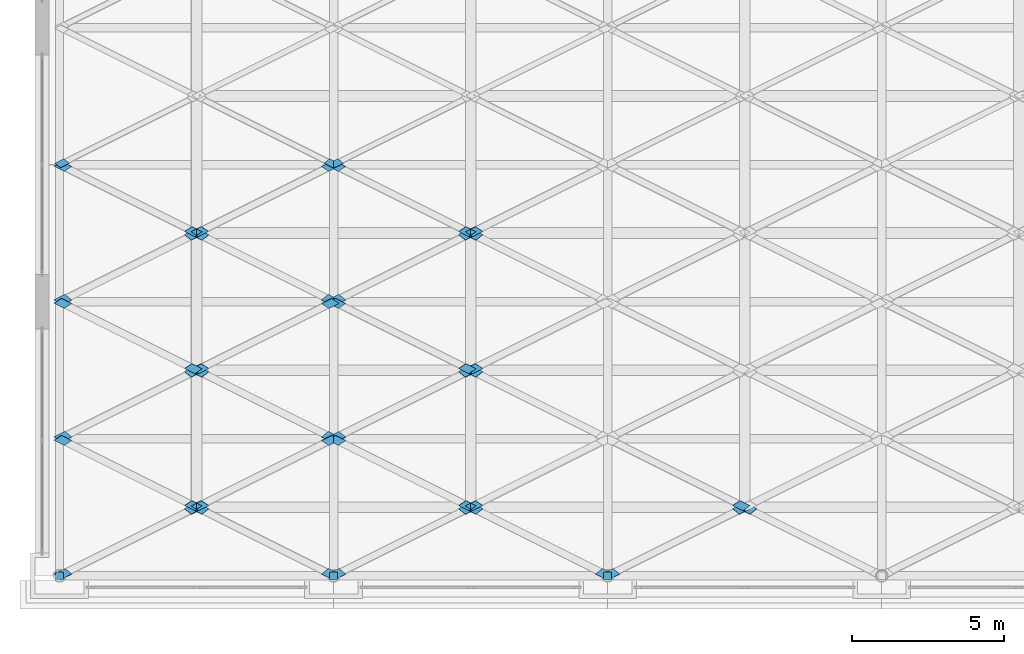
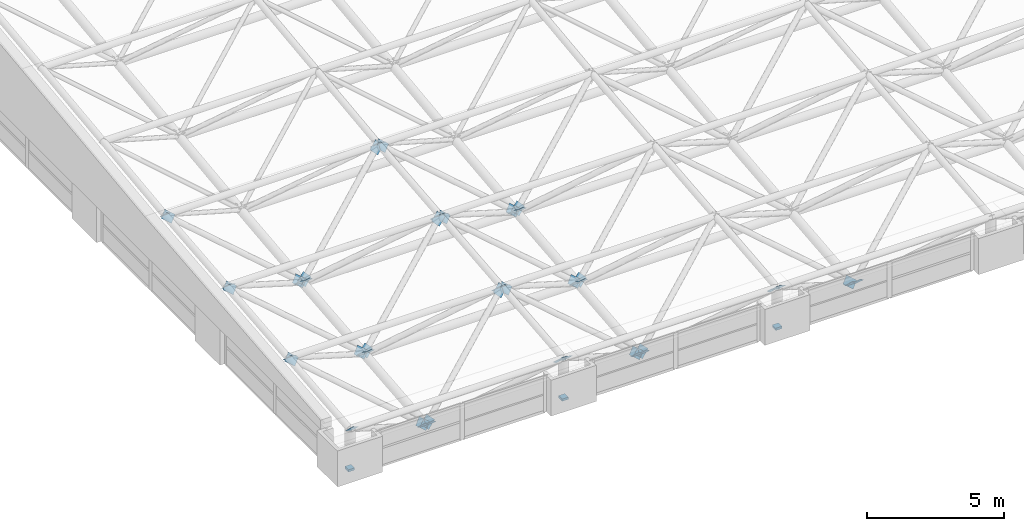
# One storey, part 27 of 53: 53 discrete accessories.
"""IFC4 building model written with IfcOpenShell, lengths in metres."""

import ifcopenshell
import ifcopenshell.guid

model = None  # the IFC model being written
_history = None  # IfcOwnerHistory: only IFC2X3 demands one
_inside = {}  # id of a spatial element -> (the spatial element, [elements in it])
_under = {}  # id of a project, library or spatial element -> (it, [spatial elements below it])
_declared = {}  # id of a project -> (the project, [libraries it declares])
_typed = {}  # id of a type object -> (the type object, [elements of that type])
_made_of = {}  # id of a material, layer set ... -> (it, [elements and type objects made of it])


def new_model(schema):
    """Start an empty IFC model of exactly this schema.

    Asked for "IFC4X3", IfcOpenShell would pick the latest addendum, in which some entities
    have other attributes; the version numbers below select the first issue.
    IFC2X3 requires an IfcOwnerHistory on every rooted entity: one is made here for all.
    """
    global model, _history
    if schema == "IFC4X3":
        model = ifcopenshell.file(schema_version=(4, 3, 0, 0))
    else:
        model = ifcopenshell.file(schema=schema)
    _inside.clear()
    _under.clear()
    _declared.clear()
    _typed.clear()
    _made_of.clear()
    _history = None
    if model.schema == "IFC2X3":
        org = make("IfcOrganization", Name="unknown")
        user = make(
            "IfcPersonAndOrganization",
            ThePerson=make("IfcPerson", FamilyName="unknown"),
            TheOrganization=org,
        )
        app = make(
            "IfcApplication",
            ApplicationDeveloper=org,
            Version="unknown",
            ApplicationFullName="unknown",
            ApplicationIdentifier="unknown",
        )
        _history = make(
            "IfcOwnerHistory",
            OwningUser=user,
            OwningApplication=app,
            ChangeAction="ADDED",
            CreationDate=0,
        )
    return model


def make(cls, **values):
    """One entity of the class cls with the attributes given. An attribute that is None is left unset."""
    return model.create_entity(
        cls, **{name: value for name, value in values.items() if value is not None}
    )


def rooted(cls, **values):
    """An entity with a GlobalId (a new one), such as an element, a storey or a relation."""
    return make(cls, GlobalId=ifcopenshell.guid.new(), OwnerHistory=_history, **values)


def si_unit(unit_type, name, prefix=None):
    """IfcSIUnit, for example si_unit("LENGTHUNIT", "METRE", prefix="MILLI")."""
    return make("IfcSIUnit", UnitType=unit_type, Prefix=prefix, Name=name)


def assignment(units):
    """IfcUnitAssignment: the units of a project."""
    return None if units is None else make("IfcUnitAssignment", Units=units)


def point(xyz):
    """IfcCartesianPoint."""
    return None if xyz is None else make("IfcCartesianPoint", Coordinates=xyz)


def direction(xyz):
    """IfcDirection."""
    return None if xyz is None else make("IfcDirection", DirectionRatios=xyz)


def frame(location, z_axis=None, x_axis=None):
    """IfcAxis2Placement3D, a coordinate frame: its origin and axes. An axis left out is left unset."""
    return make(
        "IfcAxis2Placement3D",
        Location=point(location),
        Axis=direction(z_axis),
        RefDirection=direction(x_axis),
    )


def frame_2d(location, x_axis=None):
    """IfcAxis2Placement2D, a coordinate frame in the plane: its origin and x axis."""
    return make(
        "IfcAxis2Placement2D", Location=point(location), RefDirection=direction(x_axis)
    )


def origin():
    """The frame at (0, 0, 0) with its axes left unset."""
    return frame((0.0, 0.0, 0.0))


def origin_2d():
    """The frame at (0, 0) in the plane with its x axis left unset."""
    return frame_2d((0.0, 0.0))


def place(relative_to, where):
    """IfcLocalPlacement: puts the frame where relative to a parent placement (None: the world)."""
    return make(
        "IfcLocalPlacement", PlacementRelTo=relative_to, RelativePlacement=where
    )


def context(
    kind, dimensions, precision=None, world=None, true_north=None, identifier=None
):
    """IfcGeometricRepresentationContext, for example the 3D "Model" context."""
    return make(
        "IfcGeometricRepresentationContext",
        ContextIdentifier=identifier,
        ContextType=kind,
        CoordinateSpaceDimension=dimensions,
        Precision=precision,
        WorldCoordinateSystem=world,
        TrueNorth=true_north,
    )


def subcontext(parent, identifier, kind, view, scale=None):
    """IfcGeometricRepresentationSubContext, for example "Body" below "Model"."""
    return make(
        "IfcGeometricRepresentationSubContext",
        ContextIdentifier=identifier,
        ContextType=kind,
        ParentContext=parent,
        TargetScale=scale,
        TargetView=view,
    )


def project(units=None, contexts=None):
    """IfcProject with its units and contexts."""
    return rooted(
        "IfcProject",
        Name="project",
        RepresentationContexts=contexts,
        UnitsInContext=assignment(units),
    )


def spatial(cls, under=None, at=None, **own):
    """A site, building, storey or space (cls), placed at a placement, below another one or the project."""
    s = rooted(cls, ObjectPlacement=at, **own)
    if under is not None:
        _under.setdefault(under.id(), (under, []))[1].append(s)
    return s


def polyline(points):
    """IfcPolyline through the points."""
    return make("IfcPolyline", Points=[point(p) for p in points])


def profile(cls, at=None, kind="AREA", **sizes):
    """A parametric profile (cls). Its sizes go by their IFC names, for example OverallWidth=200.0."""
    return make(cls, ProfileType=kind, Position=at, **sizes)


def rectangle(**sizes):
    """IfcRectangleProfileDef."""
    return profile("IfcRectangleProfileDef", **sizes)


def outline(outer, holes=None, kind="AREA"):
    """IfcArbitraryClosedProfileDef: a profile drawn as a closed curve; with holes, ...WithVoids."""
    if holes is None:
        return make("IfcArbitraryClosedProfileDef", ProfileType=kind, OuterCurve=outer)
    return make(
        "IfcArbitraryProfileDefWithVoids",
        ProfileType=kind,
        OuterCurve=outer,
        InnerCurves=holes,
    )


def extrude(swept, where, along, depth):
    """IfcExtrudedAreaSolid: the profile swept, set in the frame where, extruded along a direction by depth."""
    return make(
        "IfcExtrudedAreaSolid",
        SweptArea=swept,
        Position=where,
        ExtrudedDirection=direction(along),
        Depth=depth,
    )


def shape(context_of_items, identifier, shape_type, items):
    """IfcShapeRepresentation: the items that make up one representation, for example the "Body"."""
    return make(
        "IfcShapeRepresentation",
        ContextOfItems=context_of_items,
        RepresentationIdentifier=identifier,
        RepresentationType=shape_type,
        Items=items,
    )


def material(Name=None, Category=None):
    """IfcMaterial."""
    return make("IfcMaterial", Name=Name, Category=Category)


def layer(
    of_material, thickness, ventilated=None, Name=None, Category=None, Priority=None
):
    """IfcMaterialLayer: one layer of a wall or slab, of a material (None: an air gap)."""
    return make(
        "IfcMaterialLayer",
        Material=of_material,
        LayerThickness=thickness,
        IsVentilated=ventilated,
        Name=Name,
        Category=Category,
        Priority=Priority,
    )


def layer_set(layers, Name=None):
    """IfcMaterialLayerSet."""
    return make("IfcMaterialLayerSet", MaterialLayers=layers, LayerSetName=Name)


def made_of(thing, what):
    """Note that an element or type object is made of a material, layer set ...; save() writes the relation."""
    if what is not None:
        _made_of.setdefault(what.id(), (what, []))[1].append(thing)
    return thing


def type_object(cls, material=None, **own):
    """A type object (cls), such as IfcWallType, which elements share."""
    return made_of(rooted(cls, **own), material)


def element(
    cls,
    number,
    at=None,
    inside=None,
    cuts=None,
    type_object=None,
    material=None,
    context=None,
    identifier="Body",
    shape_type=None,
    held_by="IfcProductDefinitionShape",
    body=None,
    shapes=None,
    **own,
):
    """One element of the class cls, such as IfcWall. Its Tag is "e" and its number.

    at: its placement. inside: the storey or other place that contains it. cuts: it is an
    opening in that element (IfcRelVoidsElement). A single representation is given by context,
    identifier, shape_type and body (its items); several are given by shapes. held_by: the class
    of the entity that holds the representations. save() writes the other relations.
    """
    e = rooted(cls, Tag="e%d" % number, ObjectPlacement=at, **own)
    if body is not None:
        shapes = [shape(context, identifier, shape_type, body)]
    if shapes is not None:
        e.Representation = make(held_by, Representations=shapes)
    if inside is not None:
        _inside.setdefault(inside.id(), (inside, []))[1].append(e)
    if cuts is not None:
        rooted(
            "IfcRelVoidsElement", RelatingBuildingElement=cuts, RelatedOpeningElement=e
        )
    if type_object is not None:
        _typed.setdefault(type_object.id(), (type_object, []))[1].append(e)
    return made_of(e, material)


def aggregate(whole, parts):
    """IfcRelAggregates: a whole, such as a stair, and the parts it consists of."""
    return rooted("IfcRelAggregates", RelatingObject=whole, RelatedObjects=parts)


def save(model, path):
    """Write the relations noted so far, then the file.

    IfcRelAggregates (storeys below a building ...), IfcRelContainedInSpatialStructure (elements
    in a storey), IfcRelDefinesByType, IfcRelAssociatesMaterial and IfcRelDeclares: one each for
    every whole, place, type object, material and project.
    """
    for whole, parts in _under.values():
        aggregate(whole, parts)
    for where, things in _inside.values():
        rooted(
            "IfcRelContainedInSpatialStructure",
            RelatedElements=things,
            RelatingStructure=where,
        )
    for kind, things in _typed.values():
        rooted("IfcRelDefinesByType", RelatedObjects=things, RelatingType=kind)
    for what, things in _made_of.values():
        rooted("IfcRelAssociatesMaterial", RelatedObjects=things, RelatingMaterial=what)
    for by, libraries in _declared.values():
        rooted("IfcRelDeclares", RelatingContext=by, RelatedDefinitions=libraries)
    model.write(path)


model = new_model("IFC4")

# Units and contexts
model_context = context("Model", 3, precision=1e-05, world=origin(), true_north=direction((0.0, 1.0)))
body_context = subcontext(model_context, "Body", "Model", "MODEL_VIEW")
ifc_project = project(units=[si_unit("LENGTHUNIT", "METRE"), si_unit("AREAUNIT", "SQUARE_METRE"), si_unit("VOLUMEUNIT", "CUBIC_METRE"), si_unit("PLANEANGLEUNIT", "RADIAN"), si_unit("MASSUNIT", "GRAM", prefix="KILO")], contexts=[model_context])

# Site, building, storey
site_placement = place(None, origin())
site = spatial("IfcSite", under=ifc_project, at=site_placement, CompositionType="ELEMENT")
building_placement = place(site_placement, origin())
building = spatial("IfcBuilding", under=site, at=building_placement, Name="Aravalli Gate Trade Fair Centre", CompositionType="ELEMENT")
storey_placement = place(building_placement, frame((0.0, 0.0, 25.199951171875)))
storey = spatial("IfcBuildingStorey", under=building, at=storey_placement, Name="ROOF LEVEL 2", CompositionType="ELEMENT", Elevation=25.199951171875)

# Discrete accessories
ifc_material = material(Name="Steel E350", Category="steel")
discrete_accessory_type_1 = type_object("IfcDiscreteAccessoryType", Name="Bearing shoe fixed", PredefinedType="BRACKET", material=ifc_material)
for number, where, z_axis, x_axis, name in (
    (1, (6.0, 46.0, 0.0), (0.0, 0.0, 1.0), (1.0, 0.0, 0.0), "Bearing shoe A1 (fixed)"),
    (2, (15.0, 46.0, 0.0), (0.0, 0.0, 1.0), (1.0, 0.0, 0.0), "Bearing shoe A2 (fixed)"),
    (3, (24.0, 46.0, 0.0), (0.0, 0.0, 1.0), (1.0, 0.0, 0.0), "Bearing shoe A3 (fixed)"),
):
    element("IfcDiscreteAccessory", number, at=place(storey_placement, frame(where, z_axis=z_axis, x_axis=x_axis)), inside=storey, type_object=discrete_accessory_type_1, Name=name, PredefinedType="BRACKET", context=body_context, shape_type="SweptSolid", body=[
        extrude(rectangle(XDim=0.260009765625, YDim=0.260009765625, at=origin_2d()), origin(), (0.0, 0.0, 1.0), 0.10009765625),
    ])
ifc_layer_1 = layer(ifc_material, 0.011962890625)
ifc_layer_set_1 = layer_set([ifc_layer_1], Name="Steel E350")
discrete_accessory_type_2 = type_object("IfcDiscreteAccessoryType", Name="Gusset plate 291 x 291 x 12", PredefinedType="USERDEFINED", material=ifc_layer_set_1)
for number, where, z_axis, x_axis, name in (
    (4, (6.138916015625, 59.691650390625, 2.92724609375), (-6.9765199e-05, 0.771154883137, 0.636647580178), (-0.786484474244, -0.393242254842, 0.476238071536), "Gusset plate Space frame web diagonal D2A end A"),
    (5, (15.138916015625, 59.691650390625, 2.92724609375), (-6.9765199e-05, 0.771154883137, 0.636647580178), (-0.786484474244, -0.393242254842, 0.476238071536), "Gusset plate Space frame web diagonal D2A end A"),
):
    element("IfcDiscreteAccessory", number, at=place(storey_placement, frame(where, z_axis=z_axis, x_axis=x_axis)), inside=storey, type_object=discrete_accessory_type_2, Name=name, ObjectType="GUSSET PLATE", PredefinedType="USERDEFINED", context=body_context, shape_type="SweptSolid", body=[
        extrude(outline(polyline([(0.0, 0.0), (0.37064165383501635, -1.3877787807814457e-17), (0.3706783195979393, 0.29059144692340316), (0.00022867857401766278, 0.2904406632211646), (0.0, 0.0)])), origin(), (0.0, 0.0, -1.0), 0.011962890625),
    ])
discrete_accessory_1_placement = place(storey_placement, frame((14.681884765625, 59.546142578125, 3.103515625), z_axis=(6.9765199e-05, 0.771154883137, 0.636647580178), x_axis=(0.786233023991, -0.393446013556, 0.476484906794)))
element("IfcDiscreteAccessory", 6, at=discrete_accessory_1_placement, inside=storey, type_object=discrete_accessory_type_2, Name="Gusset plate Space frame web diagonal D2B end A", ObjectType="GUSSET PLATE", PredefinedType="USERDEFINED", context=body_context, shape_type="SweptSolid", body=[
    extrude(outline(polyline([(0.0, 0.0), (0.37044967171058096, 2.7755575615628914e-17), (0.3702947268495056, 0.290591407927876), (-0.0003468962829482891, 0.29044054608337494), (0.0, 0.0)])), origin(), (0.0, 0.0, -1.0), 0.011962890625),
])
ifc_layer_2 = layer(ifc_material, 0.011962890625)
ifc_layer_set_2 = layer_set([ifc_layer_2], Name="Steel E350")
discrete_accessory_type_3 = type_object("IfcDiscreteAccessoryType", Name="Gusset plate 367 x 367 x 12", PredefinedType="USERDEFINED", material=ifc_layer_set_2)
discrete_accessory_2_placement = place(storey_placement, frame((6.173095703125, 46.23876953125, 1.51513671875), z_axis=(-0.000106895173, 0.77673595722, 0.629826358082), x_axis=(-0.783044443413, -0.391795440284, 0.483050445204)))
element("IfcDiscreteAccessory", 7, at=discrete_accessory_2_placement, inside=storey, type_object=discrete_accessory_type_3, Name="Gusset plate Space frame web diagonal D1A end A", ObjectType="GUSSET PLATE", PredefinedType="USERDEFINED", context=body_context, shape_type="SweptSolid", body=[
    extrude(outline(polyline([(0.0, 0.0), (0.4467862821424865, 0.0), (0.4467086389724838, 0.36691841645657763), (-7.764317000273635e-05, 0.36691841645657763), (0.0, 0.0)])), origin(), (0.0, 0.0, -1.0), 0.011962890625),
])
discrete_accessory_3_placement = place(storey_placement, frame((10.0986328125, 48.201416015625, -0.905517578125), z_axis=(-0.000106895173, 0.77673595722, 0.629826358082), x_axis=(0.783044443413, 0.391795440284, -0.483050445204)))
element("IfcDiscreteAccessory", 8, at=discrete_accessory_3_placement, inside=storey, type_object=discrete_accessory_type_3, Name="Gusset plate Space frame web diagonal D1A end B", ObjectType="GUSSET PLATE", PredefinedType="USERDEFINED", context=body_context, shape_type="SweptSolid", body=[
    extrude(outline(polyline([(0.0, 0.0), (0.4467862821424865, 0.0), (0.4468639253124893, -0.3669184164565776), (7.764317000273635e-05, -0.36691841645657763), (0.0, 0.0)])), origin(), (0.0, 0.0, -1.0), 0.011962890625),
])
discrete_accessory_4_placement = place(storey_placement, frame((15.173095703125, 46.23876953125, 1.51513671875), z_axis=(-0.000106895173, 0.77673595722, 0.629826358082), x_axis=(-0.783044443413, -0.391795440284, 0.483050445204)))
element("IfcDiscreteAccessory", 9, at=discrete_accessory_4_placement, inside=storey, type_object=discrete_accessory_type_3, Name="Gusset plate Space frame web diagonal D1A end A", ObjectType="GUSSET PLATE", PredefinedType="USERDEFINED", context=body_context, shape_type="SweptSolid", body=[
    extrude(outline(polyline([(0.0, 0.0), (0.4467862821424865, 0.0), (0.4467086389724838, 0.36691841645657763), (-7.764317000273635e-05, 0.36691841645657763), (0.0, 0.0)])), origin(), (0.0, 0.0, -1.0), 0.011962890625),
])
discrete_accessory_5_placement = place(storey_placement, frame((19.0986328125, 48.201416015625, -0.905517578125), z_axis=(-0.000106895173, 0.77673595722, 0.629826358082), x_axis=(0.783044443413, 0.391795440284, -0.483050445204)))
element("IfcDiscreteAccessory", 10, at=discrete_accessory_5_placement, inside=storey, type_object=discrete_accessory_type_3, Name="Gusset plate Space frame web diagonal D1A end B", ObjectType="GUSSET PLATE", PredefinedType="USERDEFINED", context=body_context, shape_type="SweptSolid", body=[
    extrude(outline(polyline([(0.0, 0.0), (0.4467862821424865, 0.0), (0.4468639253124893, -0.3669184164565776), (7.764317000273635e-05, -0.36691841645657763), (0.0, 0.0)])), origin(), (0.0, 0.0, -1.0), 0.011962890625),
])
discrete_accessory_6_placement = place(storey_placement, frame((24.173095703125, 46.23876953125, 1.51513671875), z_axis=(-0.000106895173, 0.77673595722, 0.629826358082), x_axis=(-0.783044443413, -0.391795440284, 0.483050445204)))
element("IfcDiscreteAccessory", 11, at=discrete_accessory_6_placement, inside=storey, type_object=discrete_accessory_type_3, Name="Gusset plate Space frame web diagonal D1A end A", ObjectType="GUSSET PLATE", PredefinedType="USERDEFINED", context=body_context, shape_type="SweptSolid", body=[
    extrude(outline(polyline([(0.0, 0.0), (0.4467862821424865, 0.0), (0.4467086389724838, 0.36691841645657763), (-7.764317000273635e-05, 0.36691841645657763), (0.0, 0.0)])), origin(), (0.0, 0.0, -1.0), 0.011962890625),
])
discrete_accessory_7_placement = place(storey_placement, frame((28.0986328125, 48.201416015625, -0.905517578125), z_axis=(-0.000106895173, 0.77673595722, 0.629826358082), x_axis=(0.783044443413, 0.391795440284, -0.483050445204)))
element("IfcDiscreteAccessory", 12, at=discrete_accessory_7_placement, inside=storey, type_object=discrete_accessory_type_3, Name="Gusset plate Space frame web diagonal D1A end B", ObjectType="GUSSET PLATE", PredefinedType="USERDEFINED", context=body_context, shape_type="SweptSolid", body=[
    extrude(outline(polyline([(0.0, 0.0), (0.4467862821424865, 0.0), (0.4468639253124893, -0.3669184164565776), (7.764317000273635e-05, -0.36691841645657763), (0.0, 0.0)])), origin(), (0.0, 0.0, -1.0), 0.011962890625),
])
discrete_accessory_8_placement = place(storey_placement, frame((6.173095703125, 50.73876953125, 1.965087890625), z_axis=(-0.000106895173, 0.77673595722, 0.629826358082), x_axis=(-0.783044443413, -0.391795440284, 0.483050445204)))
element("IfcDiscreteAccessory", 13, at=discrete_accessory_8_placement, inside=storey, type_object=discrete_accessory_type_3, Name="Gusset plate Space frame web diagonal D1A end A", ObjectType="GUSSET PLATE", PredefinedType="USERDEFINED", context=body_context, shape_type="SweptSolid", body=[
    extrude(outline(polyline([(0.0, 0.0), (0.4467862821424865, 0.0), (0.4467086389724838, 0.36691841645657763), (-7.764317000273635e-05, 0.36691841645657763), (0.0, 0.0)])), origin(), (0.0, 0.0, -1.0), 0.011962890625),
])
discrete_accessory_9_placement = place(storey_placement, frame((10.0986328125, 52.701416015625, -0.45556640625), z_axis=(-0.000106895173, 0.77673595722, 0.629826358082), x_axis=(0.783044443413, 0.391795440284, -0.483050445204)))
element("IfcDiscreteAccessory", 14, at=discrete_accessory_9_placement, inside=storey, type_object=discrete_accessory_type_3, Name="Gusset plate Space frame web diagonal D1A end B", ObjectType="GUSSET PLATE", PredefinedType="USERDEFINED", context=body_context, shape_type="SweptSolid", body=[
    extrude(outline(polyline([(0.0, 0.0), (0.4467862821424865, 0.0), (0.4468639253124893, -0.3669184164565776), (7.764317000273635e-05, -0.36691841645657763), (0.0, 0.0)])), origin(), (0.0, 0.0, -1.0), 0.011962890625),
])
discrete_accessory_10_placement = place(storey_placement, frame((15.173095703125, 50.73876953125, 1.965087890625), z_axis=(-0.000106895173, 0.77673595722, 0.629826358082), x_axis=(-0.783044443413, -0.391795440284, 0.483050445204)))
element("IfcDiscreteAccessory", 15, at=discrete_accessory_10_placement, inside=storey, type_object=discrete_accessory_type_3, Name="Gusset plate Space frame web diagonal D1A end A", ObjectType="GUSSET PLATE", PredefinedType="USERDEFINED", context=body_context, shape_type="SweptSolid", body=[
    extrude(outline(polyline([(0.0, 0.0), (0.4467862821424865, 0.0), (0.4467086389724838, 0.36691841645657763), (-7.764317000273635e-05, 0.36691841645657763), (0.0, 0.0)])), origin(), (0.0, 0.0, -1.0), 0.011962890625),
])
discrete_accessory_11_placement = place(storey_placement, frame((19.0986328125, 52.701416015625, -0.45556640625), z_axis=(-0.000106895173, 0.77673595722, 0.629826358082), x_axis=(0.783044443413, 0.391795440284, -0.483050445204)))
element("IfcDiscreteAccessory", 16, at=discrete_accessory_11_placement, inside=storey, type_object=discrete_accessory_type_3, Name="Gusset plate Space frame web diagonal D1A end B", ObjectType="GUSSET PLATE", PredefinedType="USERDEFINED", context=body_context, shape_type="SweptSolid", body=[
    extrude(outline(polyline([(0.0, 0.0), (0.4467862821424865, 0.0), (0.4468639253124893, -0.3669184164565776), (7.764317000273635e-05, -0.36691841645657763), (0.0, 0.0)])), origin(), (0.0, 0.0, -1.0), 0.011962890625),
])
discrete_accessory_12_placement = place(storey_placement, frame((6.173095703125, 55.23876953125, 2.4150390625), z_axis=(-0.000106895173, 0.77673595722, 0.629826358082), x_axis=(-0.783044443413, -0.391795440284, 0.483050445204)))
element("IfcDiscreteAccessory", 17, at=discrete_accessory_12_placement, inside=storey, type_object=discrete_accessory_type_3, Name="Gusset plate Space frame web diagonal D1A end A", ObjectType="GUSSET PLATE", PredefinedType="USERDEFINED", context=body_context, shape_type="SweptSolid", body=[
    extrude(outline(polyline([(0.0, 0.0), (0.4467862821424865, 0.0), (0.4467086389724838, 0.36691841645657763), (-7.764317000273635e-05, 0.36691841645657763), (0.0, 0.0)])), origin(), (0.0, 0.0, -1.0), 0.011962890625),
])
discrete_accessory_13_placement = place(storey_placement, frame((10.0986328125, 57.201416015625, -0.005615234375), z_axis=(-0.000106895173, 0.77673595722, 0.629826358082), x_axis=(0.783044443413, 0.391795440284, -0.483050445204)))
element("IfcDiscreteAccessory", 18, at=discrete_accessory_13_placement, inside=storey, type_object=discrete_accessory_type_3, Name="Gusset plate Space frame web diagonal D1A end B", ObjectType="GUSSET PLATE", PredefinedType="USERDEFINED", context=body_context, shape_type="SweptSolid", body=[
    extrude(outline(polyline([(0.0, 0.0), (0.4467862821424865, 0.0), (0.4468639253124893, -0.3669184164565776), (7.764317000273635e-05, -0.36691841645657763), (0.0, 0.0)])), origin(), (0.0, 0.0, -1.0), 0.011962890625),
])
discrete_accessory_14_placement = place(storey_placement, frame((15.173095703125, 55.23876953125, 2.4150390625), z_axis=(-0.000106895173, 0.77673595722, 0.629826358082), x_axis=(-0.783044443413, -0.391795440284, 0.483050445204)))
element("IfcDiscreteAccessory", 19, at=discrete_accessory_14_placement, inside=storey, type_object=discrete_accessory_type_3, Name="Gusset plate Space frame web diagonal D1A end A", ObjectType="GUSSET PLATE", PredefinedType="USERDEFINED", context=body_context, shape_type="SweptSolid", body=[
    extrude(outline(polyline([(0.0, 0.0), (0.4467862821424865, 0.0), (0.4467086389724838, 0.36691841645657763), (-7.764317000273635e-05, 0.36691841645657763), (0.0, 0.0)])), origin(), (0.0, 0.0, -1.0), 0.011962890625),
])
discrete_accessory_15_placement = place(storey_placement, frame((19.0986328125, 57.201416015625, -0.005615234375), z_axis=(-0.000106895173, 0.77673595722, 0.629826358082), x_axis=(0.783044443413, 0.391795440284, -0.483050445204)))
element("IfcDiscreteAccessory", 20, at=discrete_accessory_15_placement, inside=storey, type_object=discrete_accessory_type_3, Name="Gusset plate Space frame web diagonal D1A end B", ObjectType="GUSSET PLATE", PredefinedType="USERDEFINED", context=body_context, shape_type="SweptSolid", body=[
    extrude(outline(polyline([(0.0, 0.0), (0.4467862821424865, 0.0), (0.4468639253124893, -0.3669184164565776), (7.764317000273635e-05, -0.36691841645657763), (0.0, 0.0)])), origin(), (0.0, 0.0, -1.0), 0.011962890625),
])
discrete_accessory_16_placement = place(storey_placement, frame((14.5986328125, 46.057861328125, 1.73828125), z_axis=(0.000106895173, 0.77673595722, 0.629826358082), x_axis=(0.783044443413, -0.391795440284, 0.483050445204)))
element("IfcDiscreteAccessory", 21, at=discrete_accessory_16_placement, inside=storey, type_object=discrete_accessory_type_3, Name="Gusset plate Space frame web diagonal D1B end A", ObjectType="GUSSET PLATE", PredefinedType="USERDEFINED", context=body_context, shape_type="SweptSolid", body=[
    extrude(outline(polyline([(0.0, 0.0), (0.4467862821424865, 0.0), (0.4468639253124893, 0.3669184164565776), (7.764317000273635e-05, 0.36691841645657763), (0.0, 0.0)])), origin(), (0.0, 0.0, -1.0), 0.011962890625),
])
discrete_accessory_17_placement = place(storey_placement, frame((10.673095703125, 48.0205078125, -0.682373046875), z_axis=(0.000106895173, 0.77673595722, 0.629826358082), x_axis=(-0.783044443413, 0.391795440284, -0.483050445204)))
element("IfcDiscreteAccessory", 22, at=discrete_accessory_17_placement, inside=storey, type_object=discrete_accessory_type_3, Name="Gusset plate Space frame web diagonal D1B end B", ObjectType="GUSSET PLATE", PredefinedType="USERDEFINED", context=body_context, shape_type="SweptSolid", body=[
    extrude(outline(polyline([(0.0, 0.0), (0.4467862821424865, 0.0), (0.4467086389724838, -0.36691841645657763), (-7.764317000273635e-05, -0.36691841645657763), (0.0, 0.0)])), origin(), (0.0, 0.0, -1.0), 0.011962890625),
])
discrete_accessory_18_placement = place(storey_placement, frame((23.5986328125, 46.057861328125, 1.73828125), z_axis=(0.000106895173, 0.77673595722, 0.629826358082), x_axis=(0.783044443413, -0.391795440284, 0.483050445204)))
element("IfcDiscreteAccessory", 23, at=discrete_accessory_18_placement, inside=storey, type_object=discrete_accessory_type_3, Name="Gusset plate Space frame web diagonal D1B end A", ObjectType="GUSSET PLATE", PredefinedType="USERDEFINED", context=body_context, shape_type="SweptSolid", body=[
    extrude(outline(polyline([(0.0, 0.0), (0.4467862821424865, 0.0), (0.4468639253124893, 0.3669184164565776), (7.764317000273635e-05, 0.36691841645657763), (0.0, 0.0)])), origin(), (0.0, 0.0, -1.0), 0.011962890625),
])
for number, where, z_axis, x_axis, name in (
    (24, (19.673095703125, 48.0205078125, -0.682373046875), (0.000106895173, 0.77673595722, 0.629826358082), (-0.783044443413, 0.391795440284, -0.483050445204), "Gusset plate Space frame web diagonal D1B end B"),
    (25, (28.673095703125, 48.0205078125, -0.682373046875), (0.000106895173, 0.77673595722, 0.629826358082), (-0.783044443413, 0.391795440284, -0.483050445204), "Gusset plate Space frame web diagonal D1B end B"),
):
    element("IfcDiscreteAccessory", number, at=place(storey_placement, frame(where, z_axis=z_axis, x_axis=x_axis)), inside=storey, type_object=discrete_accessory_type_3, Name=name, ObjectType="GUSSET PLATE", PredefinedType="USERDEFINED", context=body_context, shape_type="SweptSolid", body=[
        extrude(outline(polyline([(0.0, 0.0), (0.4467862821424865, 0.0), (0.4467086389724838, -0.36691841645657763), (-7.764317000273635e-05, -0.36691841645657763), (0.0, 0.0)])), origin(), (0.0, 0.0, -1.0), 0.011962890625),
    ])
discrete_accessory_19_placement = place(storey_placement, frame((14.5986328125, 50.557861328125, 2.188232421875), z_axis=(0.000106895173, 0.77673595722, 0.629826358082), x_axis=(0.783044443413, -0.391795440284, 0.483050445204)))
element("IfcDiscreteAccessory", 26, at=discrete_accessory_19_placement, inside=storey, type_object=discrete_accessory_type_3, Name="Gusset plate Space frame web diagonal D1B end A", ObjectType="GUSSET PLATE", PredefinedType="USERDEFINED", context=body_context, shape_type="SweptSolid", body=[
    extrude(outline(polyline([(0.0, 0.0), (0.4467862821424865, 0.0), (0.4468639253124893, 0.3669184164565776), (7.764317000273635e-05, 0.36691841645657763), (0.0, 0.0)])), origin(), (0.0, 0.0, -1.0), 0.011962890625),
])
for number, where, z_axis, x_axis, name in (
    (27, (10.673095703125, 52.5205078125, -0.232421875), (0.000106895173, 0.77673595722, 0.629826358082), (-0.783044443413, 0.391795440284, -0.483050445204), "Gusset plate Space frame web diagonal D1B end B"),
    (28, (19.673095703125, 52.5205078125, -0.232421875), (0.000106895173, 0.77673595722, 0.629826358082), (-0.783044443413, 0.391795440284, -0.483050445204), "Gusset plate Space frame web diagonal D1B end B"),
):
    element("IfcDiscreteAccessory", number, at=place(storey_placement, frame(where, z_axis=z_axis, x_axis=x_axis)), inside=storey, type_object=discrete_accessory_type_3, Name=name, ObjectType="GUSSET PLATE", PredefinedType="USERDEFINED", context=body_context, shape_type="SweptSolid", body=[
        extrude(outline(polyline([(0.0, 0.0), (0.4467862821424865, 0.0), (0.4467086389724838, -0.36691841645657763), (-7.764317000273635e-05, -0.36691841645657763), (0.0, 0.0)])), origin(), (0.0, 0.0, -1.0), 0.011962890625),
    ])
discrete_accessory_20_placement = place(storey_placement, frame((14.5986328125, 55.057861328125, 2.63818359375), z_axis=(0.000106895173, 0.77673595722, 0.629826358082), x_axis=(0.783044443413, -0.391795440284, 0.483050445204)))
element("IfcDiscreteAccessory", 29, at=discrete_accessory_20_placement, inside=storey, type_object=discrete_accessory_type_3, Name="Gusset plate Space frame web diagonal D1B end A", ObjectType="GUSSET PLATE", PredefinedType="USERDEFINED", context=body_context, shape_type="SweptSolid", body=[
    extrude(outline(polyline([(0.0, 0.0), (0.4467862821424865, 0.0), (0.4468639253124893, 0.3669184164565776), (7.764317000273635e-05, 0.36691841645657763), (0.0, 0.0)])), origin(), (0.0, 0.0, -1.0), 0.011962890625),
])
for number, where, z_axis, x_axis, name in (
    (30, (10.673095703125, 57.0205078125, 0.217529296875), (0.000106895173, 0.77673595722, 0.629826358082), (-0.783044443413, 0.391795440284, -0.483050445204), "Gusset plate Space frame web diagonal D1B end B"),
    (31, (19.673095703125, 57.0205078125, 0.217529296875), (0.000106895173, 0.77673595722, 0.629826358082), (-0.783044443413, 0.391795440284, -0.483050445204), "Gusset plate Space frame web diagonal D1B end B"),
):
    element("IfcDiscreteAccessory", number, at=place(storey_placement, frame(where, z_axis=z_axis, x_axis=x_axis)), inside=storey, type_object=discrete_accessory_type_3, Name=name, ObjectType="GUSSET PLATE", PredefinedType="USERDEFINED", context=body_context, shape_type="SweptSolid", body=[
        extrude(outline(polyline([(0.0, 0.0), (0.4467862821424865, 0.0), (0.4467086389724838, -0.36691841645657763), (-7.764317000273635e-05, -0.36691841645657763), (0.0, 0.0)])), origin(), (0.0, 0.0, -1.0), 0.011962890625),
    ])
discrete_accessory_21_placement = place(storey_placement, frame((6.155517578125, 50.278076171875, 1.9423828125), z_axis=(-0.000292195819, -0.820164189793, 0.572128146837), x_axis=(-0.753132087854, 0.376566043927, 0.539434956975)))
element("IfcDiscreteAccessory", 32, at=discrete_accessory_21_placement, inside=storey, type_object=discrete_accessory_type_3, Name="Gusset plate Space frame web diagonal D1C end A", ObjectType="GUSSET PLATE", PredefinedType="USERDEFINED", context=body_context, shape_type="SweptSolid", body=[
    extrude(outline(polyline([(0.0, 0.0), (0.4467022275054028, -2.7755575615628914e-17), (0.4467362528213333, -0.36669377191730207), (3.402531593046931e-05, -0.366693771917302), (0.0, 0.0)])), origin(), (0.0, 0.0, -1.0), 0.011962890625),
])
discrete_accessory_22_placement = place(storey_placement, frame((10.103271484375, 48.30419921875, -0.886962890625), z_axis=(-0.000292195819, -0.820164189793, 0.572128146837), x_axis=(0.753132087854, -0.376566043927, -0.539434956975)))
element("IfcDiscreteAccessory", 33, at=discrete_accessory_22_placement, inside=storey, type_object=discrete_accessory_type_3, Name="Gusset plate Space frame web diagonal D1C end B", ObjectType="GUSSET PLATE", PredefinedType="USERDEFINED", context=body_context, shape_type="SweptSolid", body=[
    extrude(outline(polyline([(0.0, 0.0), (0.4467022275054028, -2.7755575615628914e-17), (0.4466682021894723, 0.366693771917302), (-3.402531593046931e-05, 0.366693771917302), (0.0, 0.0)])), origin(), (0.0, 0.0, -1.0), 0.011962890625),
])
discrete_accessory_23_placement = place(storey_placement, frame((15.155517578125, 50.278076171875, 1.9423828125), z_axis=(-0.000292195819, -0.820164189793, 0.572128146837), x_axis=(-0.753132087854, 0.376566043927, 0.539434956975)))
element("IfcDiscreteAccessory", 34, at=discrete_accessory_23_placement, inside=storey, type_object=discrete_accessory_type_3, Name="Gusset plate Space frame web diagonal D1C end A", ObjectType="GUSSET PLATE", PredefinedType="USERDEFINED", context=body_context, shape_type="SweptSolid", body=[
    extrude(outline(polyline([(0.0, 0.0), (0.4467022275054028, -2.7755575615628914e-17), (0.4467362528213333, -0.36669377191730207), (3.402531593046931e-05, -0.366693771917302), (0.0, 0.0)])), origin(), (0.0, 0.0, -1.0), 0.011962890625),
])
for number, where, z_axis, x_axis, name in (
    (35, (19.103271484375, 48.30419921875, -0.886962890625), (-0.000292195819, -0.820164189793, 0.572128146837), (0.753132087854, -0.376566043927, -0.539434956975), "Gusset plate Space frame web diagonal D1C end B"),
    (36, (28.103271484375, 48.30419921875, -0.886962890625), (-0.000292195819, -0.820164189793, 0.572128146837), (0.753132087854, -0.376566043927, -0.539434956975), "Gusset plate Space frame web diagonal D1C end B"),
):
    element("IfcDiscreteAccessory", number, at=place(storey_placement, frame(where, z_axis=z_axis, x_axis=x_axis)), inside=storey, type_object=discrete_accessory_type_3, Name=name, ObjectType="GUSSET PLATE", PredefinedType="USERDEFINED", context=body_context, shape_type="SweptSolid", body=[
        extrude(outline(polyline([(0.0, 0.0), (0.4467022275054028, -2.7755575615628914e-17), (0.4466682021894723, 0.366693771917302), (-3.402531593046931e-05, 0.366693771917302), (0.0, 0.0)])), origin(), (0.0, 0.0, -1.0), 0.011962890625),
    ])
discrete_accessory_24_placement = place(storey_placement, frame((6.155517578125, 54.778076171875, 2.392333984375), z_axis=(-4.9126691e-05, -0.820140995503, 0.572161467667), x_axis=(-0.752910034648, 0.376583216139, 0.539732860821)))
element("IfcDiscreteAccessory", 37, at=discrete_accessory_24_placement, inside=storey, type_object=discrete_accessory_type_3, Name="Gusset plate Space frame web diagonal D1C end A", ObjectType="GUSSET PLATE", PredefinedType="USERDEFINED", context=body_context, shape_type="SweptSolid", body=[
    extrude(outline(polyline([(0.0, 0.0), (0.4468339673229258, 0.0), (0.4468599899280901, -0.36654297340046177), (0.00015779332313807515, -0.366693732894023), (0.0, 0.0)])), origin(), (0.0, 0.0, -1.0), 0.011962890625),
])
discrete_accessory_25_placement = place(storey_placement, frame((10.103271484375, 52.80419921875, -0.436767578125), z_axis=(-4.9126691e-05, -0.820140995503, 0.572161467667), x_axis=(0.752910034648, -0.376583216139, -0.539732860821)))
element("IfcDiscreteAccessory", 38, at=discrete_accessory_25_placement, inside=storey, type_object=discrete_accessory_type_3, Name="Gusset plate Space frame web diagonal D1C end B", ObjectType="GUSSET PLATE", PredefinedType="USERDEFINED", context=body_context, shape_type="SweptSolid", body=[
    extrude(outline(polyline([(0.0, 0.0), (0.4468339673229258, 0.0), (0.44667617399978776, 0.366693732894023), (-2.6022605164321977e-05, 0.3665429734004617), (0.0, 0.0)])), origin(), (0.0, 0.0, -1.0), 0.011962890625),
])
discrete_accessory_26_placement = place(storey_placement, frame((15.155517578125, 54.778076171875, 2.392333984375), z_axis=(-4.9126691e-05, -0.820140995503, 0.572161467667), x_axis=(-0.752910034648, 0.376583216139, 0.539732860821)))
element("IfcDiscreteAccessory", 39, at=discrete_accessory_26_placement, inside=storey, type_object=discrete_accessory_type_3, Name="Gusset plate Space frame web diagonal D1C end A", ObjectType="GUSSET PLATE", PredefinedType="USERDEFINED", context=body_context, shape_type="SweptSolid", body=[
    extrude(outline(polyline([(0.0, 0.0), (0.4468339673229258, 0.0), (0.4468599899280901, -0.36654297340046177), (0.00015779332313807515, -0.366693732894023), (0.0, 0.0)])), origin(), (0.0, 0.0, -1.0), 0.011962890625),
])
discrete_accessory_27_placement = place(storey_placement, frame((19.103271484375, 52.80419921875, -0.436767578125), z_axis=(-4.9126691e-05, -0.820140995503, 0.572161467667), x_axis=(0.752910034648, -0.376583216139, -0.539732860821)))
element("IfcDiscreteAccessory", 40, at=discrete_accessory_27_placement, inside=storey, type_object=discrete_accessory_type_3, Name="Gusset plate Space frame web diagonal D1C end B", ObjectType="GUSSET PLATE", PredefinedType="USERDEFINED", context=body_context, shape_type="SweptSolid", body=[
    extrude(outline(polyline([(0.0, 0.0), (0.4468339673229258, 0.0), (0.44667617399978776, 0.366693732894023), (-2.6022605164321977e-05, 0.3665429734004617), (0.0, 0.0)])), origin(), (0.0, 0.0, -1.0), 0.011962890625),
])
discrete_accessory_28_placement = place(storey_placement, frame((6.155517578125, 59.278076171875, 2.84228515625), z_axis=(-5.6748583e-05, -0.820281851296, 0.571959510117), x_axis=(-0.752910033129, 0.376455016564, 0.539822287904)))
element("IfcDiscreteAccessory", 41, at=discrete_accessory_28_placement, inside=storey, type_object=discrete_accessory_type_3, Name="Gusset plate Space frame web diagonal D1C end A", ObjectType="GUSSET PLATE", PredefinedType="USERDEFINED", context=body_context, shape_type="SweptSolid", body=[
    extrude(outline(polyline([(0.0, 0.0), (0.44683397278152426, 2.7755575615628914e-17), (0.44699177701993154, -0.3666937395408909), (0.0001578042384072914, -0.3666937395408909), (0.0, 0.0)])), origin(), (0.0, 0.0, -1.0), 0.011962890625),
])
discrete_accessory_29_placement = place(storey_placement, frame((10.103271484375, 57.30419921875, 0.01318359375), z_axis=(-5.6748583e-05, -0.820281851296, 0.571959510117), x_axis=(0.752910033129, -0.376455016564, -0.539822287904)))
element("IfcDiscreteAccessory", 42, at=discrete_accessory_29_placement, inside=storey, type_object=discrete_accessory_type_3, Name="Gusset plate Space frame web diagonal D1C end B", ObjectType="GUSSET PLATE", PredefinedType="USERDEFINED", context=body_context, shape_type="SweptSolid", body=[
    extrude(outline(polyline([(0.0, 0.0), (0.44683397278152426, 2.7755575615628914e-17), (0.446676168543117, 0.36669373954089096), (-0.0001578042384072914, 0.3666937395408909), (0.0, 0.0)])), origin(), (0.0, 0.0, -1.0), 0.011962890625),
])
discrete_accessory_30_placement = place(storey_placement, frame((15.155517578125, 59.278076171875, 2.84228515625), z_axis=(-5.6748583e-05, -0.820281851296, 0.571959510117), x_axis=(-0.752910033129, 0.376455016564, 0.539822287904)))
element("IfcDiscreteAccessory", 43, at=discrete_accessory_30_placement, inside=storey, type_object=discrete_accessory_type_3, Name="Gusset plate Space frame web diagonal D1C end A", ObjectType="GUSSET PLATE", PredefinedType="USERDEFINED", context=body_context, shape_type="SweptSolid", body=[
    extrude(outline(polyline([(0.0, 0.0), (0.44683397278152426, 2.7755575615628914e-17), (0.44699177701993154, -0.3666937395408909), (0.0001578042384072914, -0.3666937395408909), (0.0, 0.0)])), origin(), (0.0, 0.0, -1.0), 0.011962890625),
])
discrete_accessory_31_placement = place(storey_placement, frame((19.103271484375, 57.30419921875, 0.01318359375), z_axis=(-5.6748583e-05, -0.820281851296, 0.571959510117), x_axis=(0.752910033129, -0.376455016564, -0.539822287904)))
element("IfcDiscreteAccessory", 44, at=discrete_accessory_31_placement, inside=storey, type_object=discrete_accessory_type_3, Name="Gusset plate Space frame web diagonal D1C end B", ObjectType="GUSSET PLATE", PredefinedType="USERDEFINED", context=body_context, shape_type="SweptSolid", body=[
    extrude(outline(polyline([(0.0, 0.0), (0.44683397278152426, 2.7755575615628914e-17), (0.446676168543117, 0.36669373954089096), (-0.0001578042384072914, 0.3666937395408909), (0.0, 0.0)])), origin(), (0.0, 0.0, -1.0), 0.011962890625),
])
discrete_accessory_32_placement = place(storey_placement, frame((14.603271484375, 50.43603515625, 2.1689453125), z_axis=(0.000292195819, -0.820164189793, 0.572128146837), x_axis=(0.753132087854, 0.376566043927, 0.539434956975)))
element("IfcDiscreteAccessory", 45, at=discrete_accessory_32_placement, inside=storey, type_object=discrete_accessory_type_3, Name="Gusset plate Space frame web diagonal D1D end A", ObjectType="GUSSET PLATE", PredefinedType="USERDEFINED", context=body_context, shape_type="SweptSolid", body=[
    extrude(outline(polyline([(0.0, 0.0), (0.4467022275054028, 2.7755575615628914e-17), (0.4466682021894723, -0.366693771917302), (-3.402531593046931e-05, -0.366693771917302), (0.0, 0.0)])), origin(), (0.0, 0.0, -1.0), 0.011962890625),
])
for number, where, z_axis, x_axis, name in (
    (46, (10.655517578125, 48.462158203125, -0.660400390625), (0.000292195819, -0.820164189793, 0.572128146837), (-0.753132087854, -0.376566043927, -0.539434956975), "Gusset plate Space frame web diagonal D1D end B"),
    (47, (19.655517578125, 48.462158203125, -0.660400390625), (0.000292195819, -0.820164189793, 0.572128146837), (-0.753132087854, -0.376566043927, -0.539434956975), "Gusset plate Space frame web diagonal D1D end B"),
):
    element("IfcDiscreteAccessory", number, at=place(storey_placement, frame(where, z_axis=z_axis, x_axis=x_axis)), inside=storey, type_object=discrete_accessory_type_3, Name=name, ObjectType="GUSSET PLATE", PredefinedType="USERDEFINED", context=body_context, shape_type="SweptSolid", body=[
        extrude(outline(polyline([(0.0, 0.0), (0.4467022275054028, 2.7755575615628914e-17), (0.4467362528213333, 0.36669377191730207), (3.402531593046931e-05, 0.366693771917302), (0.0, 0.0)])), origin(), (0.0, 0.0, -1.0), 0.011962890625),
    ])
discrete_accessory_33_placement = place(storey_placement, frame((14.603271484375, 54.93603515625, 2.618896484375), z_axis=(4.9126691e-05, -0.820140995503, 0.572161467667), x_axis=(0.753132104741, 0.376437815746, 0.539524423623)))
element("IfcDiscreteAccessory", 48, at=discrete_accessory_33_placement, inside=storey, type_object=discrete_accessory_type_3, Name="Gusset plate Space frame web diagonal D1D end A", ObjectType="GUSSET PLATE", PredefinedType="USERDEFINED", context=body_context, shape_type="SweptSolid", body=[
    extrude(outline(polyline([(0.0, 0.0), (0.4467022220451944, 0.0), (0.44679990563841726, -0.3665429613078707), (-3.4036236763179684e-05, -0.3666937652647241), (0.0, 0.0)])), origin(), (0.0, 0.0, -1.0), 0.011962890625),
])
for number, where, z_axis, x_axis, name in (
    (49, (10.655517578125, 52.962158203125, -0.21044921875), (4.9126691e-05, -0.820140995503, 0.572161467667), (-0.753132104741, -0.376437815746, -0.539524423623), "Gusset plate Space frame web diagonal D1D end B"),
    (50, (19.655517578125, 52.962158203125, -0.21044921875), (4.9126691e-05, -0.820140995503, 0.572161467667), (-0.753132104741, -0.376437815746, -0.539524423623), "Gusset plate Space frame web diagonal D1D end B"),
):
    element("IfcDiscreteAccessory", number, at=place(storey_placement, frame(where, z_axis=z_axis, x_axis=x_axis)), inside=storey, type_object=discrete_accessory_type_3, Name=name, ObjectType="GUSSET PLATE", PredefinedType="USERDEFINED", context=body_context, shape_type="SweptSolid", body=[
        extrude(outline(polyline([(0.0, 0.0), (0.4467022220451944, 0.0), (0.44673625828195757, 0.3666937652647241), (-9.768359322287479e-05, 0.3665429613078708), (0.0, 0.0)])), origin(), (0.0, 0.0, -1.0), 0.011962890625),
    ])
discrete_accessory_34_placement = place(storey_placement, frame((14.603271484375, 59.43603515625, 3.06884765625), z_axis=(5.6748583e-05, -0.820281851296, 0.571959510117), x_axis=(0.752910033129, 0.376455016564, 0.539822287904)))
element("IfcDiscreteAccessory", 51, at=discrete_accessory_34_placement, inside=storey, type_object=discrete_accessory_type_3, Name="Gusset plate Space frame web diagonal D1D end A", ObjectType="GUSSET PLATE", PredefinedType="USERDEFINED", context=body_context, shape_type="SweptSolid", body=[
    extrude(outline(polyline([(0.0, 0.0), (0.44683397278152426, -2.7755575615628914e-17), (0.446676168543117, -0.36669373954089096), (-0.0001578042384072914, -0.3666937395408909), (0.0, 0.0)])), origin(), (0.0, 0.0, -1.0), 0.011962890625),
])
for number, where, z_axis, x_axis, name in (
    (52, (10.655517578125, 57.462158203125, 0.23974609375), (5.6748583e-05, -0.820281851296, 0.571959510117), (-0.752910033129, -0.376455016564, -0.539822287904), "Gusset plate Space frame web diagonal D1D end B"),
    (53, (19.655517578125, 57.462158203125, 0.23974609375), (5.6748583e-05, -0.820281851296, 0.571959510117), (-0.752910033129, -0.376455016564, -0.539822287904), "Gusset plate Space frame web diagonal D1D end B"),
):
    element("IfcDiscreteAccessory", number, at=place(storey_placement, frame(where, z_axis=z_axis, x_axis=x_axis)), inside=storey, type_object=discrete_accessory_type_3, Name=name, ObjectType="GUSSET PLATE", PredefinedType="USERDEFINED", context=body_context, shape_type="SweptSolid", body=[
        extrude(outline(polyline([(0.0, 0.0), (0.44683397278152426, -2.7755575615628914e-17), (0.44699177701993154, 0.3666937395408909), (0.0001578042384072914, 0.3666937395408909), (0.0, 0.0)])), origin(), (0.0, 0.0, -1.0), 0.011962890625),
    ])

save(model, "model.ifc")
